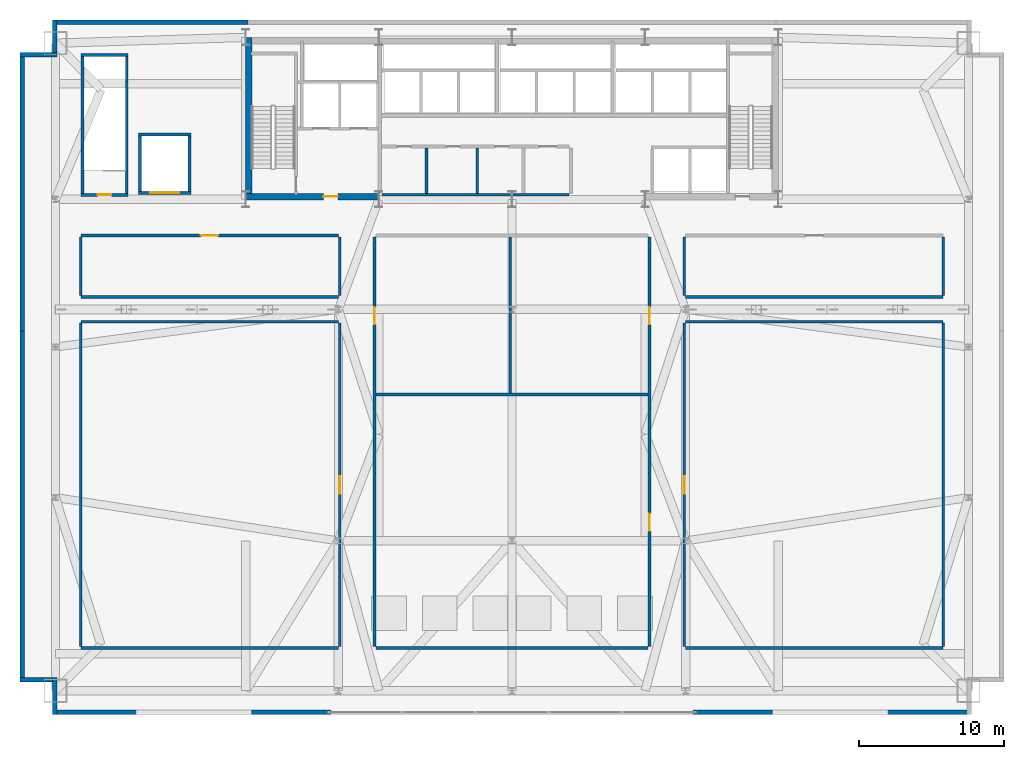
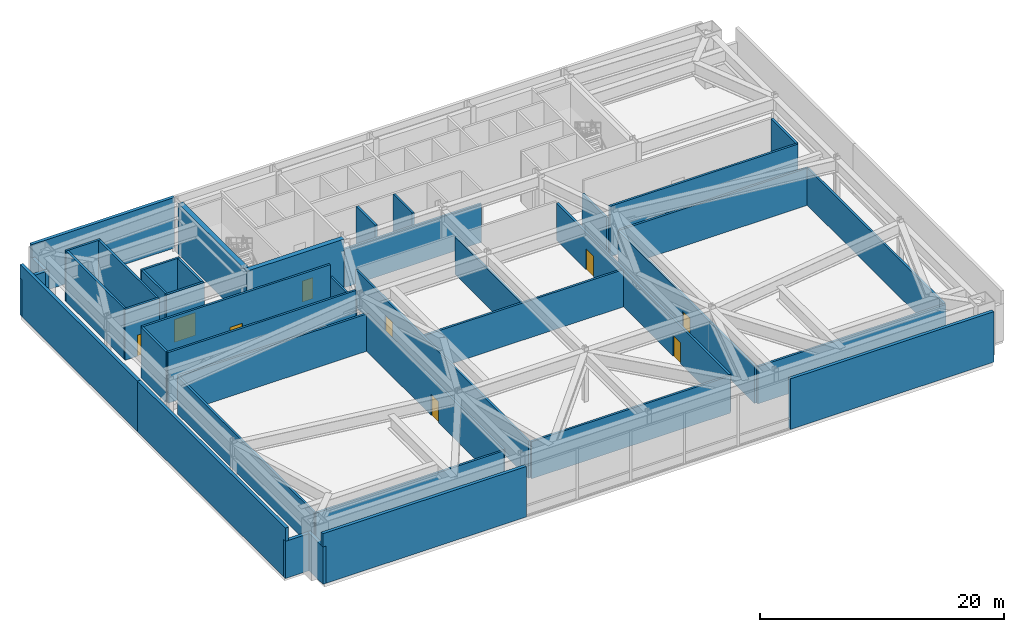
# One storey, part 12 of 16: 42 walls, 9 doors, 9 openings.
"""IFC4 building model written with IfcOpenShell, lengths in metres."""

import ifcopenshell
import ifcopenshell.guid

model = None  # the IFC model being written
_history = None  # IfcOwnerHistory: only IFC2X3 demands one
_inside = {}  # id of a spatial element -> (the spatial element, [elements in it])
_under = {}  # id of a project, library or spatial element -> (it, [spatial elements below it])
_declared = {}  # id of a project -> (the project, [libraries it declares])
_typed = {}  # id of a type object -> (the type object, [elements of that type])
_made_of = {}  # id of a material, layer set ... -> (it, [elements and type objects made of it])


def new_model(schema):
    """Start an empty IFC model of exactly this schema.

    Asked for "IFC4X3", IfcOpenShell would pick the latest addendum, in which some entities
    have other attributes; the version numbers below select the first issue.
    IFC2X3 requires an IfcOwnerHistory on every rooted entity: one is made here for all.
    """
    global model, _history
    if schema == "IFC4X3":
        model = ifcopenshell.file(schema_version=(4, 3, 0, 0))
    else:
        model = ifcopenshell.file(schema=schema)
    _inside.clear()
    _under.clear()
    _declared.clear()
    _typed.clear()
    _made_of.clear()
    _history = None
    if model.schema == "IFC2X3":
        org = make("IfcOrganization", Name="unknown")
        user = make(
            "IfcPersonAndOrganization",
            ThePerson=make("IfcPerson", FamilyName="unknown"),
            TheOrganization=org,
        )
        app = make(
            "IfcApplication",
            ApplicationDeveloper=org,
            Version="unknown",
            ApplicationFullName="unknown",
            ApplicationIdentifier="unknown",
        )
        _history = make(
            "IfcOwnerHistory",
            OwningUser=user,
            OwningApplication=app,
            ChangeAction="ADDED",
            CreationDate=0,
        )
    return model


def make(cls, **values):
    """One entity of the class cls with the attributes given. An attribute that is None is left unset."""
    return model.create_entity(
        cls, **{name: value for name, value in values.items() if value is not None}
    )


def rooted(cls, **values):
    """An entity with a GlobalId (a new one), such as an element, a storey or a relation."""
    return make(cls, GlobalId=ifcopenshell.guid.new(), OwnerHistory=_history, **values)


def si_unit(unit_type, name, prefix=None):
    """IfcSIUnit, for example si_unit("LENGTHUNIT", "METRE", prefix="MILLI")."""
    return make("IfcSIUnit", UnitType=unit_type, Prefix=prefix, Name=name)


def assignment(units):
    """IfcUnitAssignment: the units of a project."""
    return None if units is None else make("IfcUnitAssignment", Units=units)


def point(xyz):
    """IfcCartesianPoint."""
    return None if xyz is None else make("IfcCartesianPoint", Coordinates=xyz)


def direction(xyz):
    """IfcDirection."""
    return None if xyz is None else make("IfcDirection", DirectionRatios=xyz)


def frame(location, z_axis=None, x_axis=None):
    """IfcAxis2Placement3D, a coordinate frame: its origin and axes. An axis left out is left unset."""
    return make(
        "IfcAxis2Placement3D",
        Location=point(location),
        Axis=direction(z_axis),
        RefDirection=direction(x_axis),
    )


def frame_2d(location, x_axis=None):
    """IfcAxis2Placement2D, a coordinate frame in the plane: its origin and x axis."""
    return make(
        "IfcAxis2Placement2D", Location=point(location), RefDirection=direction(x_axis)
    )


def origin():
    """The frame at (0, 0, 0) with its axes left unset."""
    return frame((0.0, 0.0, 0.0))


def place(relative_to, where):
    """IfcLocalPlacement: puts the frame where relative to a parent placement (None: the world)."""
    return make(
        "IfcLocalPlacement", PlacementRelTo=relative_to, RelativePlacement=where
    )


def context(
    kind, dimensions, precision=None, world=None, true_north=None, identifier=None
):
    """IfcGeometricRepresentationContext, for example the 3D "Model" context."""
    return make(
        "IfcGeometricRepresentationContext",
        ContextIdentifier=identifier,
        ContextType=kind,
        CoordinateSpaceDimension=dimensions,
        Precision=precision,
        WorldCoordinateSystem=world,
        TrueNorth=true_north,
    )


def subcontext(parent, identifier, kind, view, scale=None):
    """IfcGeometricRepresentationSubContext, for example "Body" below "Model"."""
    return make(
        "IfcGeometricRepresentationSubContext",
        ContextIdentifier=identifier,
        ContextType=kind,
        ParentContext=parent,
        TargetScale=scale,
        TargetView=view,
    )


def project(units=None, contexts=None):
    """IfcProject with its units and contexts."""
    return rooted(
        "IfcProject",
        Name="project",
        RepresentationContexts=contexts,
        UnitsInContext=assignment(units),
    )


def spatial(cls, under=None, at=None, **own):
    """A site, building, storey or space (cls), placed at a placement, below another one or the project."""
    s = rooted(cls, ObjectPlacement=at, **own)
    if under is not None:
        _under.setdefault(under.id(), (under, []))[1].append(s)
    return s


def profile(cls, at=None, kind="AREA", **sizes):
    """A parametric profile (cls). Its sizes go by their IFC names, for example OverallWidth=200.0."""
    return make(cls, ProfileType=kind, Position=at, **sizes)


def rectangle(**sizes):
    """IfcRectangleProfileDef."""
    return profile("IfcRectangleProfileDef", **sizes)


def extrude(swept, where, along, depth):
    """IfcExtrudedAreaSolid: the profile swept, set in the frame where, extruded along a direction by depth."""
    return make(
        "IfcExtrudedAreaSolid",
        SweptArea=swept,
        Position=where,
        ExtrudedDirection=direction(along),
        Depth=depth,
    )


def shape(context_of_items, identifier, shape_type, items):
    """IfcShapeRepresentation: the items that make up one representation, for example the "Body"."""
    return make(
        "IfcShapeRepresentation",
        ContextOfItems=context_of_items,
        RepresentationIdentifier=identifier,
        RepresentationType=shape_type,
        Items=items,
    )


def source(mapping_origin, context_of_items, identifier, shape_type, items):
    """IfcRepresentationMap: a shape defined once, which mapped items show again and again."""
    return make(
        "IfcRepresentationMap",
        MappingOrigin=mapping_origin,
        MappedRepresentation=shape(context_of_items, identifier, shape_type, items),
    )


def transform(
    local_origin,
    x_axis=None,
    y_axis=None,
    z_axis=None,
    scale=None,
    scale2=None,
    scale3=None,
    uniform=True,
):
    """IfcCartesianTransformationOperator3D, or its non-uniform kind. x_axis, y_axis, z_axis: its Axis1, 2, 3."""
    if uniform:
        return make(
            "IfcCartesianTransformationOperator3D",
            Axis1=direction(x_axis),
            Axis2=direction(y_axis),
            LocalOrigin=point(local_origin),
            Scale=scale,
            Axis3=direction(z_axis),
        )
    return make(
        "IfcCartesianTransformationOperator3DnonUniform",
        Axis1=direction(x_axis),
        Axis2=direction(y_axis),
        LocalOrigin=point(local_origin),
        Scale=scale,
        Axis3=direction(z_axis),
        Scale2=scale2,
        Scale3=scale3,
    )


def mapped(mapping_source, mapping_target):
    """IfcMappedItem: shows the shape of a source again, moved by a transform."""
    return make(
        "IfcMappedItem", MappingSource=mapping_source, MappingTarget=mapping_target
    )


def material(Name=None, Category=None):
    """IfcMaterial."""
    return make("IfcMaterial", Name=Name, Category=Category)


def layer(
    of_material, thickness, ventilated=None, Name=None, Category=None, Priority=None
):
    """IfcMaterialLayer: one layer of a wall or slab, of a material (None: an air gap)."""
    return make(
        "IfcMaterialLayer",
        Material=of_material,
        LayerThickness=thickness,
        IsVentilated=ventilated,
        Name=Name,
        Category=Category,
        Priority=Priority,
    )


def layer_set(layers, Name=None):
    """IfcMaterialLayerSet."""
    return make("IfcMaterialLayerSet", MaterialLayers=layers, LayerSetName=Name)


def made_of(thing, what):
    """Note that an element or type object is made of a material, layer set ...; save() writes the relation."""
    if what is not None:
        _made_of.setdefault(what.id(), (what, []))[1].append(thing)
    return thing


def type_object(cls, material=None, **own):
    """A type object (cls), such as IfcWallType, which elements share."""
    return made_of(rooted(cls, **own), material)


def type_shapes(of_type, sources):
    """Give a type object the sources (RepresentationMaps) that its elements show as mapped items."""
    of_type.RepresentationMaps = sources


def element(
    cls,
    number,
    at=None,
    inside=None,
    cuts=None,
    type_object=None,
    material=None,
    context=None,
    identifier="Body",
    shape_type=None,
    held_by="IfcProductDefinitionShape",
    body=None,
    shapes=None,
    **own,
):
    """One element of the class cls, such as IfcWall. Its Tag is "e" and its number.

    at: its placement. inside: the storey or other place that contains it. cuts: it is an
    opening in that element (IfcRelVoidsElement). A single representation is given by context,
    identifier, shape_type and body (its items); several are given by shapes. held_by: the class
    of the entity that holds the representations. save() writes the other relations.
    """
    e = rooted(cls, Tag="e%d" % number, ObjectPlacement=at, **own)
    if body is not None:
        shapes = [shape(context, identifier, shape_type, body)]
    if shapes is not None:
        e.Representation = make(held_by, Representations=shapes)
    if inside is not None:
        _inside.setdefault(inside.id(), (inside, []))[1].append(e)
    if cuts is not None:
        rooted(
            "IfcRelVoidsElement", RelatingBuildingElement=cuts, RelatedOpeningElement=e
        )
    if type_object is not None:
        _typed.setdefault(type_object.id(), (type_object, []))[1].append(e)
    return made_of(e, material)


def fill(opening, filler):
    """IfcRelFillsElement: the door or window that sits in an opening."""
    return rooted(
        "IfcRelFillsElement",
        RelatingOpeningElement=opening,
        RelatedBuildingElement=filler,
    )


def aggregate(whole, parts):
    """IfcRelAggregates: a whole, such as a stair, and the parts it consists of."""
    return rooted("IfcRelAggregates", RelatingObject=whole, RelatedObjects=parts)


def save(model, path):
    """Write the relations noted so far, then the file.

    IfcRelAggregates (storeys below a building ...), IfcRelContainedInSpatialStructure (elements
    in a storey), IfcRelDefinesByType, IfcRelAssociatesMaterial and IfcRelDeclares: one each for
    every whole, place, type object, material and project.
    """
    for whole, parts in _under.values():
        aggregate(whole, parts)
    for where, things in _inside.values():
        rooted(
            "IfcRelContainedInSpatialStructure",
            RelatedElements=things,
            RelatingStructure=where,
        )
    for kind, things in _typed.values():
        rooted("IfcRelDefinesByType", RelatedObjects=things, RelatingType=kind)
    for what, things in _made_of.values():
        rooted("IfcRelAssociatesMaterial", RelatedObjects=things, RelatingMaterial=what)
    for by, libraries in _declared.values():
        rooted("IfcRelDeclares", RelatingContext=by, RelatedDefinitions=libraries)
    model.write(path)


model = new_model("IFC4")

# Units and contexts
model_context = context("Model", 3, precision=1e-05, world=origin(), true_north=direction((0.0, 1.0)))
body_context = subcontext(model_context, "Body", "Model", "MODEL_VIEW")
ifc_project = project(units=[si_unit("LENGTHUNIT", "METRE"), si_unit("AREAUNIT", "SQUARE_METRE"), si_unit("VOLUMEUNIT", "CUBIC_METRE"), si_unit("PLANEANGLEUNIT", "RADIAN"), si_unit("MASSUNIT", "GRAM", prefix="KILO")], contexts=[model_context])

# Site, building, storey
site_placement = place(None, origin())
site = spatial("IfcSite", under=ifc_project, at=site_placement, CompositionType="ELEMENT")
building_placement = place(site_placement, origin())
building = spatial("IfcBuilding", under=site, at=building_placement, Name="Varnel Quay Broadcast Tower", CompositionType="ELEMENT")
storey_placement = place(building_placement, frame((0.0, 0.0, 22.199951171875)))
storey = spatial("IfcBuildingStorey", under=building, at=storey_placement, Name="L04", CompositionType="ELEMENT", Elevation=22.199951171875)

# Walls
ifc_material_1 = material(Name="Concrete CSA A23.3 C50/60", Category="concrete")
ifc_layer_1 = layer(ifc_material_1, 0.199951171875, Name="Concrete CSA A23.3 C50/60")
ifc_layer_set_1 = layer_set([ifc_layer_1], Name="Concrete CSA A23.3 C50/60")
wall_type_1 = type_object("IfcWallType", Name="Wall_CoreShaftShear200", PredefinedType="SHEAR", material=ifc_layer_set_1)
for number, where, z_axis, x_axis, name in (
    (1, (4.320068359375, 36.0, 0.0), (0.0, 0.0, 1.0), (0.0, 1.0, 0.0), "L04 Podium Stair 3 W Structural Wall"),
    (2, (7.3798828125, 36.0, 0.0), (0.0, 0.0, 1.0), (0.0, 1.0, 0.0), "L04 Podium Stair 3 E Structural Wall"),
):
    element("IfcWall", number, at=place(storey_placement, frame(where, z_axis=z_axis, x_axis=x_axis)), inside=storey, type_object=wall_type_1, Name=name, PredefinedType="SHEAR", context=body_context, shape_type="SweptSolid", body=[
        extrude(rectangle(XDim=9.60009765625, YDim=0.199951171875, at=frame_2d((4.800048828125, 0.0))), origin(), (0.0, 0.0, 1.0), 5.080078125),
    ])
wall_1_placement = place(storey_placement, frame((4.219970703125, 45.580078125, 0.0), z_axis=(0.0, 0.0, 1.0), x_axis=(1.0, 0.0, 0.0)))
element("IfcWall", 3, at=wall_1_placement, inside=storey, type_object=wall_type_1, Name="L04 Podium Stair 3 N Structural Wall", PredefinedType="SHEAR", context=body_context, shape_type="SweptSolid", body=[
    extrude(rectangle(XDim=3.260009765625, YDim=0.199951171875, at=frame_2d((1.6298828125, 0.0))), origin(), (0.0, 0.0, 1.0), 5.080078125),
])

# Wall, opening, door
wall_2_placement = place(storey_placement, frame((4.219970703125, 35.919921875, 0.0), z_axis=(0.0, 0.0, 1.0), x_axis=(1.0, 0.0, 0.0)))
wall_2 = element("IfcWall", 4, at=wall_2_placement, inside=storey, type_object=wall_type_1, Name="L04 Podium Stair 3 South Structural Wall", PredefinedType="SHEAR", context=body_context, shape_type="SweptSolid", body=[
    extrude(rectangle(XDim=3.260009765625, YDim=0.199951171875, at=frame_2d((1.6298828125, 0.0))), origin(), (0.0, 0.0, 1.0), 5.080078125),
])
opening_1_placement = place(wall_2_placement, frame((1.14990234375, 0.0, 0.0)))
opening_1 = element("IfcOpeningElement", 5, at=opening_1_placement, cuts=wall_2, Name="Opening D-L04-S3", PredefinedType="OPENING", context=body_context, shape_type="SweptSolid", body=[
    extrude(rectangle(XDim=0.949951171875, YDim=2.10009765625, at=frame_2d((0.47509765625, 1.050048828125))), frame((0.0, 0.10986328125, 0.0), z_axis=(0.0, -1.0, 0.0), x_axis=(1.0, 0.0, 0.0)), (0.0, 0.0, 1.0), 0.219970703125),
])
ifc_material_2 = material(Name="Insulated Fire-Rated Hollow Steel Door", Category="steel")
door_type_1 = type_object("IfcDoorType", Name="Door_FireStair950", OperationType="NOTDEFINED", PredefinedType="DOOR", material=ifc_material_2)
shared_shape_1 = source(origin(), body_context, "Body", "SweptSolid", [
    extrude(rectangle(XDim=0.949951171875, YDim=2.10009765625, at=frame_2d((0.47509765625, 1.050048828125))), frame((0.0, 0.02490234375, 0.0), z_axis=(0.0, -1.0, 0.0), x_axis=(1.0, 0.0, 0.0)), (0.0, 0.0, 1.0), 0.050048828125),
])
type_shapes(door_type_1, [shared_shape_1])
door_1_placement = place(opening_1_placement, origin())
door_1 = element("IfcDoor", 6, at=door_1_placement, inside=storey, type_object=door_type_1, Name="L04 Podium Stair 3 Fire Door", OperationType="SINGLE_SWING_LEFT", OverallHeight=2.10009765625, OverallWidth=0.949951171875, PredefinedType="DOOR", context=body_context, shape_type="MappedRepresentation", body=[
    mapped(shared_shape_1, transform((0.0, 0.0, 0.0), x_axis=(1.0, 0.0, 0.0), y_axis=(0.0, 1.0, 0.0), z_axis=(0.0, 0.0, 1.0), scale=1.0)),
])
fill(opening_1, door_1)

# Walls
for number, where, z_axis, x_axis, name in (
    (7, (8.300048828125, 36.14990234375, 0.0), (0.0, 0.0, 1.0), (0.0, 1.0, 0.0), "L04 Freight Lift Shaft W Wall"),
    (8, (11.699951171875, 36.14990234375, 0.0), (0.0, 0.0, 1.0), (0.0, 1.0, 0.0), "L04 Freight Lift Shaft E Wall"),
):
    element("IfcWall", number, at=place(storey_placement, frame(where, z_axis=z_axis, x_axis=x_axis)), inside=storey, type_object=wall_type_1, Name=name, PredefinedType="SHEAR", context=body_context, shape_type="SweptSolid", body=[
        extrude(rectangle(XDim=3.85009765625, YDim=0.199951171875, at=frame_2d((1.925048828125, 0.0))), origin(), (0.0, 0.0, 1.0), 5.080078125),
    ])
wall_3_placement = place(storey_placement, frame((8.199951171875, 40.10009765625, 0.0), z_axis=(0.0, 0.0, 1.0), x_axis=(1.0, 0.0, 0.0)))
element("IfcWall", 9, at=wall_3_placement, inside=storey, type_object=wall_type_1, Name="L04 Freight Lift Shaft N Wall", PredefinedType="SHEAR", context=body_context, shape_type="SweptSolid", body=[
    extrude(rectangle(XDim=3.60009765625, YDim=0.199951171875, at=frame_2d((1.800048828125, 0.0))), origin(), (0.0, 0.0, 1.0), 5.080078125),
])

# Wall, opening, door
wall_4_placement = place(storey_placement, frame((8.199951171875, 36.050048828125, 0.0), z_axis=(0.0, 0.0, 1.0), x_axis=(1.0, 0.0, 0.0)))
wall_4 = element("IfcWall", 10, at=wall_4_placement, inside=storey, type_object=wall_type_1, Name="L04 Studio Freight Lift Front Wall", PredefinedType="SHEAR", context=body_context, shape_type="SweptSolid", body=[
    extrude(rectangle(XDim=3.60009765625, YDim=0.199951171875, at=frame_2d((1.800048828125, 0.0))), origin(), (0.0, 0.0, 1.0), 5.080078125),
])
opening_2_placement = place(wall_4_placement, frame((0.800048828125, 0.0, 0.0)))
opening_2 = element("IfcOpeningElement", 11, at=opening_2_placement, cuts=wall_4, Name="Opening LD-L04-BF1", PredefinedType="OPENING", context=body_context, shape_type="SweptSolid", body=[
    extrude(rectangle(XDim=2.0, YDim=2.280029296875, at=frame_2d((1.0, 1.14013671875))), frame((0.0, 0.10986328125, 0.0), z_axis=(0.0, -1.0, 0.0), x_axis=(1.0, 0.0, 0.0)), (0.0, 0.0, 1.0), 0.219970703125),
])
ifc_material_3 = material(Name="Brushed Bronze-Stainless Lift Car & Sliding Doors", Category="steel")
door_type_2 = type_object("IfcDoorType", Name="Door_FreightLanding2000", OperationType="DOUBLE_DOOR_SLIDING", PredefinedType="DOOR", material=ifc_material_3)
shared_shape_2 = source(origin(), body_context, "Body", "SweptSolid", [
    extrude(rectangle(XDim=2.0, YDim=2.280029296875, at=frame_2d((1.0, 1.14013671875))), frame((0.0, 0.02490234375, 0.0), z_axis=(0.0, -1.0, 0.0), x_axis=(1.0, 0.0, 0.0)), (0.0, 0.0, 1.0), 0.050048828125),
])
type_shapes(door_type_2, [shared_shape_2])
door_2_placement = place(opening_2_placement, frame((2.0, 0.0, 0.0), z_axis=(0.0, 0.0, 1.0), x_axis=(-1.0, 0.0, 0.0)))
door_2 = element("IfcDoor", 12, at=door_2_placement, inside=storey, type_object=door_type_2, Name="L04 Freight Lift BF-01 Landing Door", OperationType="DOUBLE_DOOR_SLIDING", OverallHeight=2.280029296875, OverallWidth=2.0, PredefinedType="DOOR", context=body_context, shape_type="MappedRepresentation", body=[
    mapped(shared_shape_2, transform((0.0, 0.0, 0.0), x_axis=(1.0, 0.0, 0.0), y_axis=(0.0, 1.0, 0.0), z_axis=(0.0, 0.0, 1.0), scale=1.0)),
])
fill(opening_2, door_2)

# Wall
ifc_material_4 = material(Name="Concrete CSA A23.3 C60/75", Category="concrete")
ifc_layer_2 = layer(ifc_material_4, 0.449951171875, Name="Concrete CSA A23.3 C60/75")
ifc_layer_set_2 = layer_set([ifc_layer_2], Name="Concrete CSA A23.3 C60/75")
wall_type_2 = type_object("IfcWallType", Name="Wall_CoreShearInt450", PredefinedType="SHEAR", material=ifc_layer_set_2)
wall_5_placement = place(storey_placement, frame((15.794921875, 35.570068359375, 0.0), z_axis=(0.0, 0.0, 1.0), x_axis=(0.0, 1.0, 0.0)))
element("IfcWall", 13, at=wall_5_placement, inside=storey, type_object=wall_type_2, Name="L04 West Core Shear Wall", PredefinedType="SHEAR", context=body_context, shape_type="SweptSolid", body=[
    extrude(rectangle(XDim=11.22998046875, YDim=0.449951171875, at=frame_2d((5.614990234375, 0.0))), origin(), (0.0, 0.0, 1.0), 5.080078125),
])

# Wall, opening, door
wall_6_placement = place(storey_placement, frame((15.570068359375, 35.794921875, 0.0), z_axis=(0.0, 0.0, 1.0), x_axis=(1.0, 0.0, 0.0)))
wall_6 = element("IfcWall", 14, at=wall_6_placement, inside=storey, type_object=wall_type_2, Name="L04 South-West Core Shear Wall", PredefinedType="SHEAR", context=body_context, shape_type="SweptSolid", body=[
    extrude(rectangle(XDim=9.22998046875, YDim=0.449951171875, at=frame_2d((4.614990234375, 0.0))), origin(), (0.0, 0.0, 1.0), 5.080078125),
])
opening_3_placement = place(wall_6_placement, frame((5.39990234375, 0.0, 0.0)))
opening_3 = element("IfcOpeningElement", 15, at=opening_3_placement, cuts=wall_6, Name="Opening D-L04-FFL", PredefinedType="OPENING", context=body_context, shape_type="SweptSolid", body=[
    extrude(rectangle(XDim=1.0, YDim=2.10009765625, at=frame_2d((0.5, 1.050048828125))), frame((0.0, 0.23486328125, 0.0), z_axis=(0.0, -1.0, 0.0), x_axis=(1.0, 0.0, 0.0)), (0.0, 0.0, 1.0), 0.469970703125),
])
door_type_3 = type_object("IfcDoorType", Name="Door_FireLobby1000", OperationType="NOTDEFINED", PredefinedType="DOOR", material=ifc_material_2)
shared_shape_3 = source(origin(), body_context, "Body", "SweptSolid", [
    extrude(rectangle(XDim=1.0, YDim=2.10009765625, at=frame_2d((0.5, 1.050048828125))), frame((0.0, 0.02490234375, 0.0), z_axis=(0.0, -1.0, 0.0), x_axis=(1.0, 0.0, 0.0)), (0.0, 0.0, 1.0), 0.050048828125),
])
type_shapes(door_type_3, [shared_shape_3])
door_3_placement = place(opening_3_placement, origin())
door_3 = element("IfcDoor", 16, at=door_3_placement, inside=storey, type_object=door_type_3, Name="L04 Firefighting Lobby Door", OperationType="SINGLE_SWING_LEFT", OverallHeight=2.10009765625, OverallWidth=1.0, PredefinedType="DOOR", context=body_context, shape_type="MappedRepresentation", body=[
    mapped(shared_shape_3, transform((0.0, 0.0, 0.0), x_axis=(1.0, 0.0, 0.0), y_axis=(0.0, 1.0, 0.0), z_axis=(0.0, 0.0, 1.0), scale=1.0)),
])
fill(opening_3, door_3)

# Walls
ifc_material_5 = material(Name="Precast Architectural Concrete C40/50", Category="concrete")
ifc_layer_3 = layer(ifc_material_5, 0.300048828125, Name="Precast Architectural Concrete C40/50")
ifc_layer_set_3 = layer_set([ifc_layer_3], Name="Precast Architectural Concrete C40/50")
wall_type_3 = type_object("IfcWallType", Name="Wall_ExtPodium300", PredefinedType="SOLIDWALL", material=ifc_layer_set_3)
wall_7_placement = place(storey_placement, frame((2.25, 47.85009765625, 0.0), z_axis=(0.0, 0.0, 1.0), x_axis=(1.0, 0.0, 0.0)))
element("IfcWall", 17, at=wall_7_placement, inside=storey, type_object=wall_type_3, Name="L04 North Podium Exterior Wall NW", PredefinedType="SOLIDWALL", context=body_context, shape_type="SweptSolid", body=[
    extrude(rectangle(XDim=13.5, YDim=0.300048828125, at=frame_2d((6.75, 0.0))), origin(), (0.0, 0.0, 1.0), 5.06005859375),
])
for number, where, z_axis, x_axis, name in (
    (18, (2.25, 0.14990234375, 0.0), (0.0, 0.0, 1.0), (1.0, 0.0, 0.0), "L04 Podium Acoustic Exterior Wall SW"),
    (19, (46.5, 0.14990234375, 0.0), (0.0, 0.0, 1.0), (1.0, 0.0, 0.0), "L04 Podium Acoustic Exterior Wall SE"),
):
    element("IfcWall", number, at=place(storey_placement, frame(where, z_axis=z_axis, x_axis=x_axis)), inside=storey, type_object=wall_type_3, Name=name, PredefinedType="SOLIDWALL", context=body_context, shape_type="SweptSolid", body=[
        extrude(rectangle(XDim=19.25, YDim=0.300048828125, at=frame_2d((9.625, 0.0))), origin(), (0.0, 0.0, 1.0), 5.06005859375),
    ])
wall_8_placement = place(storey_placement, frame((0.14990234375, 2.25, 0.0), z_axis=(0.0, 0.0, 1.0), x_axis=(0.0, 1.0, 0.0)))
element("IfcWall", 20, at=wall_8_placement, inside=storey, type_object=wall_type_3, Name="L04 Podium Acoustic Exterior Wall W1", PredefinedType="SOLIDWALL", context=body_context, shape_type="SweptSolid", body=[
    extrude(rectangle(XDim=24.35009765625, YDim=0.300048828125, at=frame_2d((12.175048828125, 0.0))), origin(), (0.0, 0.0, 1.0), 5.06005859375),
])
wall_9_placement = place(storey_placement, frame((0.14990234375, 26.5, 0.0), z_axis=(0.0, 0.0, 1.0), x_axis=(0.0, 1.0, 0.0)))
element("IfcWall", 21, at=wall_9_placement, inside=storey, type_object=wall_type_3, Name="L04 Podium Acoustic Exterior Wall W2", PredefinedType="SOLIDWALL", context=body_context, shape_type="SweptSolid", body=[
    extrude(rectangle(XDim=19.25, YDim=0.300048828125, at=frame_2d((9.625, 0.0))), origin(), (0.0, 0.0, 1.0), 5.06005859375),
])
for number, where, z_axis, x_axis, name in (
    (22, (2.39990234375, 0.0, 0.0), (0.0, 0.0, 1.0), (0.0, 1.0, 0.0), "L04 Podium Acoustic Exterior Wall NSW1"),
    (23, (0.0, 2.39990234375, 0.0), (0.0, 0.0, 1.0), (1.0, 0.0, 0.0), "L04 Podium Acoustic Exterior Wall NSW2"),
    (24, (0.0, 45.60009765625, 0.0), (0.0, 0.0, 1.0), (1.0, 0.0, 0.0), "L04 Podium Acoustic Exterior Wall NNW1"),
    (25, (2.39990234375, 45.449951171875, 0.0), (0.0, 0.0, 1.0), (0.0, 1.0, 0.0), "L04 Podium Acoustic Exterior Wall NNW2"),
):
    element("IfcWall", number, at=place(storey_placement, frame(where, z_axis=z_axis, x_axis=x_axis)), inside=storey, type_object=wall_type_3, Name=name, PredefinedType="SOLIDWALL", context=body_context, shape_type="SweptSolid", body=[
        extrude(rectangle(XDim=2.550048828125, YDim=0.300048828125, at=frame_2d((1.27490234375, 0.0))), origin(), (0.0, 0.0, 1.0), 3.72509765625),
    ])
ifc_material_6 = material(Name="Concrete Blockwork Fire Enclosure C40/50", Category="masonry")
ifc_layer_4 = layer(ifc_material_6, 0.199951171875, Name="Concrete Blockwork Fire Enclosure C40/50")
ifc_layer_set_4 = layer_set([ifc_layer_4], Name="Concrete Blockwork Fire Enclosure C40/50")
wall_type_4 = type_object("IfcWallType", Name="Wall_FireShaft200", PredefinedType="SOLIDWALL", material=ifc_layer_set_4)
wall_10_placement = place(storey_placement, frame((25.0, 35.925048828125, 0.0), z_axis=(0.0, 0.0, 1.0), x_axis=(1.0, 0.0, 0.0)))
element("IfcWall", 26, at=wall_10_placement, inside=storey, type_object=wall_type_4, Name="L04 Plant Floor Universal Washroom Partition 1", PredefinedType="SOLIDWALL", context=body_context, shape_type="SweptSolid", body=[
    extrude(rectangle(XDim=12.949951171875, YDim=0.199951171875, at=frame_2d((6.47509765625, 0.0))), origin(), (0.0, 0.0, 1.0), 3.85498046875),
])
for number, where, z_axis, x_axis, name in (
    (27, (28.10009765625, 36.02490234375, 0.0), (0.0, 0.0, 1.0), (0.0, 1.0, 0.0), "L04 Plant Floor Universal Washroom Partition 2"),
    (28, (31.60009765625, 36.02490234375, 0.0), (0.0, 0.0, 1.0), (0.0, 1.0, 0.0), "L04 Mechanical Staff Washroom Block Partition 4"),
):
    element("IfcWall", number, at=place(storey_placement, frame(where, z_axis=z_axis, x_axis=x_axis)), inside=storey, type_object=wall_type_4, Name=name, PredefinedType="SOLIDWALL", context=body_context, shape_type="SweptSolid", body=[
        extrude(rectangle(XDim=3.125, YDim=0.199951171875, at=frame_2d((1.5625, 0.0))), origin(), (0.0, 0.0, 1.0), 5.06005859375),
    ])
wall_11_placement = place(storey_placement, frame((24.60009765625, 22.1201171875, 0.0), z_axis=(0.0, 0.0, 1.0), x_axis=(1.0, 0.0, 0.0)))
element("IfcWall", 29, at=wall_11_placement, inside=storey, type_object=wall_type_4, Name="L04 L04 West Protected Refuge Area Partition 7", PredefinedType="SOLIDWALL", context=body_context, shape_type="SweptSolid", body=[
    extrude(rectangle(XDim=18.7998046875, YDim=0.199951171875, at=frame_2d((9.39990234375, 0.0))), origin(), (0.0, 0.0, 1.0), 3.72509765625),
])
wall_12_placement = place(storey_placement, frame((33.8798828125, 22.219970703125, 0.0), z_axis=(0.0, 0.0, 1.0), x_axis=(0.0, 1.0, 0.0)))
element("IfcWall", 30, at=wall_12_placement, inside=storey, type_object=wall_type_4, Name="L04 L04 West Protected Refuge Area Partition 8", PredefinedType="SOLIDWALL", context=body_context, shape_type="SweptSolid", body=[
    extrude(rectangle(XDim=10.780029296875, YDim=0.199951171875, at=frame_2d((5.39013671875, 0.0))), origin(), (0.0, 0.0, 1.0), 3.72509765625),
])

# Wall, opening, door
wall_13_placement = place(storey_placement, frame((24.5, 4.699951171875, 0.0), z_axis=(0.0, 0.0, 1.0), x_axis=(0.0, 1.0, 0.0)))
wall_13 = element("IfcWall", 31, at=wall_13_placement, inside=storey, type_object=wall_type_4, Name="L04 L04 West Protected Refuge Area Partition 10", PredefinedType="SOLIDWALL", context=body_context, shape_type="SweptSolid", body=[
    extrude(rectangle(XDim=28.300048828125, YDim=0.199951171875, at=frame_2d((14.14990234375, 0.0))), origin(), (0.0, 0.0, 1.0), 3.72509765625),
])
opening_4_placement = place(wall_13_placement, frame((22.260009765625, 0.0, 0.0)))
opening_4 = element("IfcOpeningElement", 32, at=opening_4_placement, cuts=wall_13, Name="Opening D-L04-05", PredefinedType="OPENING", context=body_context, shape_type="SweptSolid", body=[
    extrude(rectangle(XDim=1.199951171875, YDim=2.10009765625, at=frame_2d((0.60009765625, 1.050048828125))), frame((0.0, 0.10986328125, 0.0), z_axis=(0.0, -1.0, 0.0), x_axis=(1.0, 0.0, 0.0)), (0.0, 0.0, 1.0), 0.219970703125),
])
door_type_4 = type_object("IfcDoorType", Name="Door_Plant1200", OperationType="NOTDEFINED", PredefinedType="DOOR", material=ifc_material_2)
shared_shape_4 = source(origin(), body_context, "Body", "SweptSolid", [
    extrude(rectangle(XDim=1.199951171875, YDim=2.10009765625, at=frame_2d((0.60009765625, 1.050048828125))), frame((0.0, 0.02490234375, 0.0), z_axis=(0.0, -1.0, 0.0), x_axis=(1.0, 0.0, 0.0)), (0.0, 0.0, 1.0), 0.050048828125),
])
type_shapes(door_type_4, [shared_shape_4])
door_4_placement = place(opening_4_placement, origin())
door_4 = element("IfcDoor", 33, at=door_4_placement, inside=storey, type_object=door_type_4, Name="L04 L04 West Protected Refuge Area Door D-L04-05", OperationType="SINGLE_SWING_RIGHT", OverallHeight=2.10009765625, OverallWidth=1.199951171875, PredefinedType="DOOR", context=body_context, shape_type="MappedRepresentation", body=[
    mapped(shared_shape_4, transform((0.0, 0.0, 0.0), x_axis=(1.0, 0.0, 0.0), y_axis=(0.0, 1.0, 0.0), z_axis=(0.0, 0.0, 1.0), scale=1.0)),
])
fill(opening_4, door_4)

# Wall, openings, doors
wall_14_placement = place(storey_placement, frame((43.5, 4.699951171875, 0.0), z_axis=(0.0, 0.0, 1.0), x_axis=(0.0, 1.0, 0.0)))
wall_14 = element("IfcWall", 34, at=wall_14_placement, inside=storey, type_object=wall_type_4, Name="L04 L04 East Protected Refuge Area Partition 11", PredefinedType="SOLIDWALL", context=body_context, shape_type="SweptSolid", body=[
    extrude(rectangle(XDim=28.300048828125, YDim=0.199951171875, at=frame_2d((14.14990234375, 0.0))), origin(), (0.0, 0.0, 1.0), 3.72509765625),
])
opening_5_placement = place(wall_14_placement, frame((22.260009765625, 0.0, 0.0)))
opening_5 = element("IfcOpeningElement", 35, at=opening_5_placement, cuts=wall_14, Name="Opening D-L04-06", PredefinedType="OPENING", context=body_context, shape_type="SweptSolid", body=[
    extrude(rectangle(XDim=1.199951171875, YDim=2.10009765625, at=frame_2d((0.60009765625, 1.050048828125))), frame((0.0, 0.10986328125, 0.0), z_axis=(0.0, -1.0, 0.0), x_axis=(1.0, 0.0, 0.0)), (0.0, 0.0, 1.0), 0.219970703125),
])
opening_6_placement = place(wall_14_placement, frame((7.989990234375, 0.0, 0.0)))
opening_6 = element("IfcOpeningElement", 36, at=opening_6_placement, cuts=wall_14, Name="Opening D-L04-09", PredefinedType="OPENING", context=body_context, shape_type="SweptSolid", body=[
    extrude(rectangle(XDim=1.199951171875, YDim=2.10009765625, at=frame_2d((0.60009765625, 1.050048828125))), frame((0.0, 0.10986328125, 0.0), z_axis=(0.0, -1.0, 0.0), x_axis=(1.0, 0.0, 0.0)), (0.0, 0.0, 1.0), 0.219970703125),
])
door_5_placement = place(opening_5_placement, frame((1.199951171875, 0.0, 0.0), z_axis=(0.0, 0.0, 1.0), x_axis=(-1.0, 0.0, 0.0)))
door_5 = element("IfcDoor", 37, at=door_5_placement, inside=storey, type_object=door_type_4, Name="L04 L04 East Protected Refuge Area Door D-L04-06", OperationType="SINGLE_SWING_LEFT", OverallHeight=2.10009765625, OverallWidth=1.199951171875, PredefinedType="DOOR", context=body_context, shape_type="MappedRepresentation", body=[
    mapped(shared_shape_4, transform((0.0, 0.0, 0.0), x_axis=(1.0, 0.0, 0.0), y_axis=(0.0, 1.0, 0.0), z_axis=(0.0, 0.0, 1.0), scale=1.0)),
])
fill(opening_5, door_5)
door_6_placement = place(opening_6_placement, frame((1.199951171875, 0.0, 0.0), z_axis=(0.0, 0.0, 1.0), x_axis=(-1.0, 0.0, 0.0)))
door_6 = element("IfcDoor", 38, at=door_6_placement, inside=storey, type_object=door_type_4, Name="L04 L04 Central Transformer Substation Plant Room Door D-L04-09", OperationType="SINGLE_SWING_RIGHT", OverallHeight=2.10009765625, OverallWidth=1.199951171875, PredefinedType="DOOR", context=body_context, shape_type="MappedRepresentation", body=[
    mapped(shared_shape_4, transform((0.0, 0.0, 0.0), x_axis=(1.0, 0.0, 0.0), y_axis=(0.0, 1.0, 0.0), z_axis=(0.0, 0.0, 1.0), scale=1.0)),
])
fill(opening_6, door_6)

# Wall
wall_15_placement = place(storey_placement, frame((4.199951171875, 4.60009765625, 0.0), z_axis=(0.0, 0.0, 1.0), x_axis=(1.0, 0.0, 0.0)))
element("IfcWall", 39, at=wall_15_placement, inside=storey, type_object=wall_type_4, Name="L04 L04 West Studio Mechanical AHU Plant Room Partition 12", PredefinedType="SOLIDWALL", context=body_context, shape_type="SweptSolid", body=[
    extrude(rectangle(XDim=17.800048828125, YDim=0.199951171875, at=frame_2d((8.89990234375, 0.0))), origin(), (0.0, 0.0, 1.0), 3.72509765625),
])

# Wall, opening, door
wall_16_placement = place(storey_placement, frame((22.10009765625, 4.699951171875, 0.0), z_axis=(0.0, 0.0, 1.0), x_axis=(0.0, 1.0, 0.0)))
wall_16 = element("IfcWall", 40, at=wall_16_placement, inside=storey, type_object=wall_type_4, Name="L04 L04 West Studio Mechanical AHU Plant Room Partition 13", PredefinedType="SOLIDWALL", context=body_context, shape_type="SweptSolid", body=[
    extrude(rectangle(XDim=22.35009765625, YDim=0.199951171875, at=frame_2d((11.175048828125, 0.0))), origin(), (0.0, 0.0, 1.0), 3.72509765625),
])
opening_7_placement = place(wall_16_placement, frame((10.574951171875, 0.0, 0.0)))
opening_7 = element("IfcOpeningElement", 41, at=opening_7_placement, cuts=wall_16, Name="Opening D-L04-07", PredefinedType="OPENING", context=body_context, shape_type="SweptSolid", body=[
    extrude(rectangle(XDim=1.199951171875, YDim=2.10009765625, at=frame_2d((0.60009765625, 1.050048828125))), frame((0.0, 0.10986328125, 0.0), z_axis=(0.0, -1.0, 0.0), x_axis=(1.0, 0.0, 0.0)), (0.0, 0.0, 1.0), 0.219970703125),
])
door_7_placement = place(opening_7_placement, frame((1.199951171875, 0.0, 0.0), z_axis=(0.0, 0.0, 1.0), x_axis=(-1.0, 0.0, 0.0)))
door_7 = element("IfcDoor", 42, at=door_7_placement, inside=storey, type_object=door_type_4, Name="L04 L04 West Studio Mechanical AHU Plant Room Door D-L04-07", OperationType="SINGLE_SWING_LEFT", OverallHeight=2.10009765625, OverallWidth=1.199951171875, PredefinedType="DOOR", context=body_context, shape_type="MappedRepresentation", body=[
    mapped(shared_shape_4, transform((0.0, 0.0, 0.0), x_axis=(1.0, 0.0, 0.0), y_axis=(0.0, 1.0, 0.0), z_axis=(0.0, 0.0, 1.0), scale=1.0)),
])
fill(opening_7, door_7)

# Walls
wall_17_placement = place(storey_placement, frame((4.199951171875, 27.14990234375, 0.0), z_axis=(0.0, 0.0, 1.0), x_axis=(1.0, 0.0, 0.0)))
element("IfcWall", 43, at=wall_17_placement, inside=storey, type_object=wall_type_4, Name="L04 L04 West Studio Mechanical AHU Plant Room Partition 14", PredefinedType="SOLIDWALL", context=body_context, shape_type="SweptSolid", body=[
    extrude(rectangle(XDim=17.800048828125, YDim=0.199951171875, at=frame_2d((8.89990234375, 0.0))), origin(), (0.0, 0.0, 1.0), 3.72509765625),
])
wall_18_placement = place(storey_placement, frame((4.199951171875, 4.699951171875, 0.0), z_axis=(0.0, 0.0, 1.0), x_axis=(0.0, 1.0, 0.0)))
element("IfcWall", 44, at=wall_18_placement, inside=storey, type_object=wall_type_4, Name="L04 L04 West Studio Mechanical AHU Plant Room Partition 15", PredefinedType="SOLIDWALL", context=body_context, shape_type="SweptSolid", body=[
    extrude(rectangle(XDim=22.35009765625, YDim=0.199951171875, at=frame_2d((11.175048828125, 0.0))), origin(), (0.0, 0.0, 1.0), 3.72509765625),
])
wall_19_placement = place(storey_placement, frame((4.199951171875, 28.85009765625, 0.0), z_axis=(0.0, 0.0, 1.0), x_axis=(1.0, 0.0, 0.0)))
element("IfcWall", 45, at=wall_19_placement, inside=storey, type_object=wall_type_4, Name="L04 L04 North-West Chilled-Water Plant Room Partition 16", PredefinedType="SOLIDWALL", context=body_context, shape_type="SweptSolid", body=[
    extrude(rectangle(XDim=17.800048828125, YDim=0.199951171875, at=frame_2d((8.89990234375, 0.0))), origin(), (0.0, 0.0, 1.0), 5.06005859375),
])
wall_20_placement = place(storey_placement, frame((22.10009765625, 28.949951171875, 0.0), z_axis=(0.0, 0.0, 1.0), x_axis=(0.0, 1.0, 0.0)))
element("IfcWall", 46, at=wall_20_placement, inside=storey, type_object=wall_type_4, Name="L04 L04 North-West Chilled-Water Plant Room Partition 17", PredefinedType="SOLIDWALL", context=body_context, shape_type="SweptSolid", body=[
    extrude(rectangle(XDim=4.050048828125, YDim=0.199951171875, at=frame_2d((2.02490234375, 0.0))), origin(), (0.0, 0.0, 1.0), 3.85498046875),
])

# Wall, opening, door
wall_21_placement = place(storey_placement, frame((4.199951171875, 33.10009765625, 0.0), z_axis=(0.0, 0.0, 1.0), x_axis=(1.0, 0.0, 0.0)))
wall_21 = element("IfcWall", 47, at=wall_21_placement, inside=storey, type_object=wall_type_4, Name="L04 L04 North-West Chilled-Water Plant Room Partition 18", PredefinedType="SOLIDWALL", context=body_context, shape_type="SweptSolid", body=[
    extrude(rectangle(XDim=17.800048828125, YDim=0.199951171875, at=frame_2d((8.89990234375, 0.0))), origin(), (0.0, 0.0, 1.0), 5.06005859375),
])
opening_8_placement = place(wall_21_placement, frame((8.300048828125, 0.0, 0.0)))
opening_8 = element("IfcOpeningElement", 48, at=opening_8_placement, cuts=wall_21, Name="Opening D-L04-08", PredefinedType="OPENING", context=body_context, shape_type="SweptSolid", body=[
    extrude(rectangle(XDim=1.199951171875, YDim=2.10009765625, at=frame_2d((0.60009765625, 1.050048828125))), frame((0.0, 0.10986328125, 0.0), z_axis=(0.0, -1.0, 0.0), x_axis=(1.0, 0.0, 0.0)), (0.0, 0.0, 1.0), 0.219970703125),
])
door_8_placement = place(opening_8_placement, origin())
door_8 = element("IfcDoor", 49, at=door_8_placement, inside=storey, type_object=door_type_4, Name="L04 L04 North-West Chilled-Water Plant Room Door D-L04-08", OperationType="SINGLE_SWING_RIGHT", OverallHeight=2.10009765625, OverallWidth=1.199951171875, PredefinedType="DOOR", context=body_context, shape_type="MappedRepresentation", body=[
    mapped(shared_shape_4, transform((0.0, 0.0, 0.0), x_axis=(1.0, 0.0, 0.0), y_axis=(0.0, 1.0, 0.0), z_axis=(0.0, 0.0, 1.0), scale=1.0)),
])
fill(opening_8, door_8)

# Walls
wall_22_placement = place(storey_placement, frame((4.199951171875, 28.949951171875, 0.0), z_axis=(0.0, 0.0, 1.0), x_axis=(0.0, 1.0, 0.0)))
element("IfcWall", 50, at=wall_22_placement, inside=storey, type_object=wall_type_4, Name="L04 L04 North-West Chilled-Water Plant Room Partition 19", PredefinedType="SOLIDWALL", context=body_context, shape_type="SweptSolid", body=[
    extrude(rectangle(XDim=4.050048828125, YDim=0.199951171875, at=frame_2d((2.02490234375, 0.0))), origin(), (0.0, 0.0, 1.0), 5.06005859375),
])
wall_23_placement = place(storey_placement, frame((24.60009765625, 4.60009765625, 0.0), z_axis=(0.0, 0.0, 1.0), x_axis=(1.0, 0.0, 0.0)))
element("IfcWall", 51, at=wall_23_placement, inside=storey, type_object=wall_type_4, Name="L04 L04 Central Transformer Substation Plant Room Partition 20", PredefinedType="SOLIDWALL", context=body_context, shape_type="SweptSolid", body=[
    extrude(rectangle(XDim=18.7998046875, YDim=0.199951171875, at=frame_2d((9.39990234375, 0.0))), origin(), (0.0, 0.0, 1.0), 3.72509765625),
])
wall_24_placement = place(storey_placement, frame((46.0, 4.60009765625, 0.0), z_axis=(0.0, 0.0, 1.0), x_axis=(1.0, 0.0, 0.0)))
element("IfcWall", 52, at=wall_24_placement, inside=storey, type_object=wall_type_4, Name="L04 L04 East Studio Mechanical AHU Plant Room Partition 21", PredefinedType="SOLIDWALL", context=body_context, shape_type="SweptSolid", body=[
    extrude(rectangle(XDim=17.800048828125, YDim=0.199951171875, at=frame_2d((8.89990234375, 0.0))), origin(), (0.0, 0.0, 1.0), 3.72509765625),
])
wall_25_placement = place(storey_placement, frame((63.800048828125, 4.699951171875, 0.0), z_axis=(0.0, 0.0, 1.0), x_axis=(0.0, 1.0, 0.0)))
element("IfcWall", 53, at=wall_25_placement, inside=storey, type_object=wall_type_4, Name="L04 L04 East Studio Mechanical AHU Plant Room Partition 22", PredefinedType="SOLIDWALL", context=body_context, shape_type="SweptSolid", body=[
    extrude(rectangle(XDim=22.35009765625, YDim=0.199951171875, at=frame_2d((11.175048828125, 0.0))), origin(), (0.0, 0.0, 1.0), 3.72509765625),
])
wall_26_placement = place(storey_placement, frame((46.0, 27.14990234375, 0.0), z_axis=(0.0, 0.0, 1.0), x_axis=(1.0, 0.0, 0.0)))
element("IfcWall", 54, at=wall_26_placement, inside=storey, type_object=wall_type_4, Name="L04 L04 East Studio Mechanical AHU Plant Room Partition 23", PredefinedType="SOLIDWALL", context=body_context, shape_type="SweptSolid", body=[
    extrude(rectangle(XDim=17.800048828125, YDim=0.199951171875, at=frame_2d((8.89990234375, 0.0))), origin(), (0.0, 0.0, 1.0), 3.72509765625),
])

# Wall, opening, door
wall_27_placement = place(storey_placement, frame((45.89990234375, 4.699951171875, 0.0), z_axis=(0.0, 0.0, 1.0), x_axis=(0.0, 1.0, 0.0)))
wall_27 = element("IfcWall", 55, at=wall_27_placement, inside=storey, type_object=wall_type_4, Name="L04 L04 East Studio Mechanical AHU Plant Room Partition 24", PredefinedType="SOLIDWALL", context=body_context, shape_type="SweptSolid", body=[
    extrude(rectangle(XDim=22.35009765625, YDim=0.199951171875, at=frame_2d((11.175048828125, 0.0))), origin(), (0.0, 0.0, 1.0), 3.72509765625),
])
opening_9_placement = place(wall_27_placement, frame((10.574951171875, 0.0, 0.0)))
opening_9 = element("IfcOpeningElement", 56, at=opening_9_placement, cuts=wall_27, Name="Opening D-L04-10", PredefinedType="OPENING", context=body_context, shape_type="SweptSolid", body=[
    extrude(rectangle(XDim=1.199951171875, YDim=2.10009765625, at=frame_2d((0.60009765625, 1.050048828125))), frame((0.0, 0.10986328125, 0.0), z_axis=(0.0, -1.0, 0.0), x_axis=(1.0, 0.0, 0.0)), (0.0, 0.0, 1.0), 0.219970703125),
])
door_9_placement = place(opening_9_placement, origin())
door_9 = element("IfcDoor", 57, at=door_9_placement, inside=storey, type_object=door_type_4, Name="L04 L04 East Studio Mechanical AHU Plant Room Door D-L04-10", OperationType="SINGLE_SWING_LEFT", OverallHeight=2.10009765625, OverallWidth=1.199951171875, PredefinedType="DOOR", context=body_context, shape_type="MappedRepresentation", body=[
    mapped(shared_shape_4, transform((0.0, 0.0, 0.0), x_axis=(1.0, 0.0, 0.0), y_axis=(0.0, 1.0, 0.0), z_axis=(0.0, 0.0, 1.0), scale=1.0)),
])
fill(opening_9, door_9)

# Walls
wall_28_placement = place(storey_placement, frame((46.0, 28.85009765625, 0.0), z_axis=(0.0, 0.0, 1.0), x_axis=(1.0, 0.0, 0.0)))
element("IfcWall", 58, at=wall_28_placement, inside=storey, type_object=wall_type_4, Name="L04 L04 North-East Switchgear Plant Room Partition 25", PredefinedType="SOLIDWALL", context=body_context, shape_type="SweptSolid", body=[
    extrude(rectangle(XDim=17.800048828125, YDim=0.199951171875, at=frame_2d((8.89990234375, 0.0))), origin(), (0.0, 0.0, 1.0), 5.06005859375),
])
wall_29_placement = place(storey_placement, frame((63.800048828125, 28.949951171875, 0.0), z_axis=(0.0, 0.0, 1.0), x_axis=(0.0, 1.0, 0.0)))
element("IfcWall", 59, at=wall_29_placement, inside=storey, type_object=wall_type_4, Name="L04 L04 North-East Switchgear Plant Room Partition 26", PredefinedType="SOLIDWALL", context=body_context, shape_type="SweptSolid", body=[
    extrude(rectangle(XDim=4.050048828125, YDim=0.199951171875, at=frame_2d((2.02490234375, 0.0))), origin(), (0.0, 0.0, 1.0), 5.06005859375),
])
wall_30_placement = place(storey_placement, frame((45.89990234375, 28.949951171875, 0.0), z_axis=(0.0, 0.0, 1.0), x_axis=(0.0, 1.0, 0.0)))
element("IfcWall", 60, at=wall_30_placement, inside=storey, type_object=wall_type_4, Name="L04 L04 North-East Switchgear Plant Room Partition 28", PredefinedType="SOLIDWALL", context=body_context, shape_type="SweptSolid", body=[
    extrude(rectangle(XDim=4.050048828125, YDim=0.199951171875, at=frame_2d((2.02490234375, 0.0))), origin(), (0.0, 0.0, 1.0), 3.85498046875),
])

save(model, "model.ifc")
